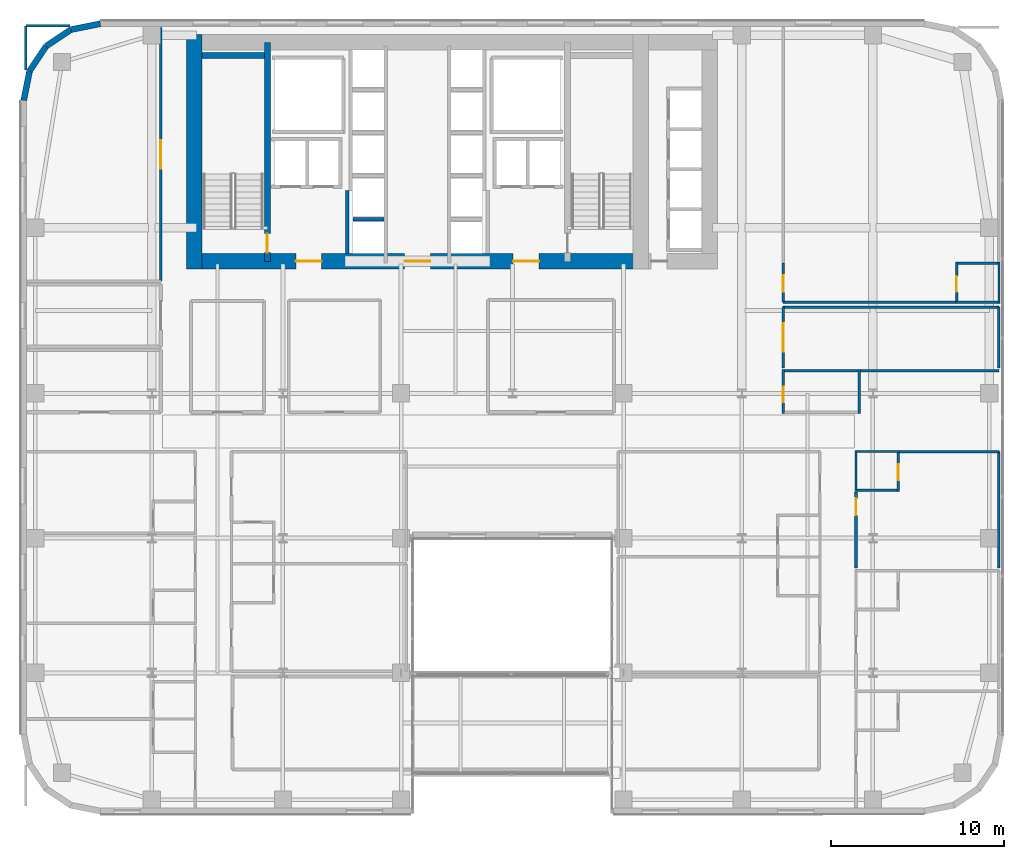
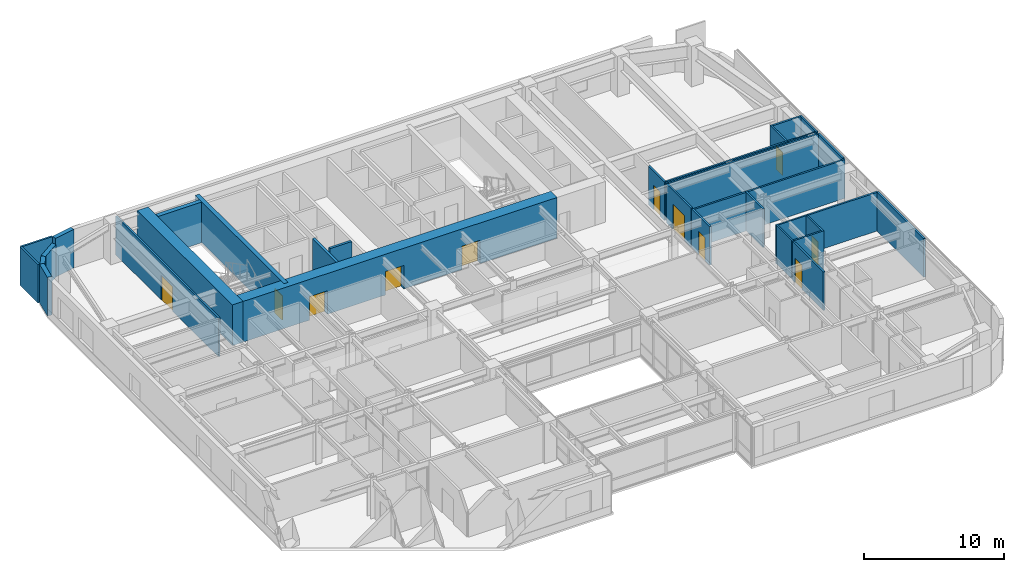
# One storey, part 24 of 31: 32 walls, 11 doors, 11 openings.
"""IFC4 building model written with IfcOpenShell, lengths in metres."""

from ifc_helpers import new_model, si_unit, direction, frame, frame_2d, origin, place, context, subcontext, project, spatial, rectangle, extrude, source, transform, mapped, material, layer, layer_set, type_object, type_shapes, element, fill, save


model = new_model("IFC4")

# Units and contexts
model_context = context("Model", 3, precision=1e-05, world=origin(), true_north=direction((0.0, 1.0)))
body_context = subcontext(model_context, "Body", "Model", "MODEL_VIEW")
ifc_project = project(units=[si_unit("LENGTHUNIT", "METRE"), si_unit("AREAUNIT", "SQUARE_METRE"), si_unit("VOLUMEUNIT", "CUBIC_METRE"), si_unit("PLANEANGLEUNIT", "RADIAN"), si_unit("MASSUNIT", "GRAM", prefix="KILO")], contexts=[model_context])

# Site, building, storey
site_placement = place(None, origin())
site = spatial("IfcSite", under=ifc_project, at=site_placement, CompositionType="ELEMENT")
building_placement = place(site_placement, origin())
building = spatial("IfcBuilding", under=site, at=building_placement, Name="Tolvann Quenvar Hotel", CompositionType="ELEMENT")
storey_placement = place(building_placement, frame((0.0, 0.0, 74.60009765625)))
storey = spatial("IfcBuildingStorey", under=building, at=storey_placement, Name="L18", CompositionType="ELEMENT", Elevation=74.60009765625)

# Wall, openings, doors
ifc_material_1 = material(Name="Concrete S80 (80 MPa)", Category="concrete")
ifc_layer_1 = layer(ifc_material_1, 0.89990234375)
ifc_layer_set_1 = layer_set([ifc_layer_1], Name="Concrete S80 (80 MPa)")
wall_type_1 = type_object("IfcWallType", Name="WALL_CORE_900", PredefinedType="SHEAR", material=ifc_layer_set_1)
wall_1_placement = place(storey_placement, frame((9.60009765625, 32.050048828125, 0.0), z_axis=(0.0, 0.0, 1.0), x_axis=(1.0, 0.0, 0.0)))
wall_1 = element("IfcWall", 1, at=wall_1_placement, inside=storey, type_object=wall_type_1, Name="Rear Core S Shear Wall (L18)", PredefinedType="SHEAR", context=body_context, shape_type="SweptSolid", body=[
    extrude(rectangle(XDim=26.7998046875, YDim=0.89990234375, at=frame_2d((13.39990234375, 0.0))), origin(), (0.0, 0.0, 1.0), 3.5498046875),
])
opening_1_placement = place(wall_1_placement, frame((7.85009765625, 0.0, 0.0), z_axis=(0.0, 0.0, 1.0), x_axis=(-1.0, 0.0, 0.0)))
opening_1 = element("IfcOpeningElement", 2, at=opening_1_placement, cuts=wall_1, Name="Opening FD-60D", PredefinedType="OPENING", context=body_context, shape_type="SweptSolid", body=[
    extrude(rectangle(XDim=1.5, YDim=2.0400390625, at=frame_2d((0.75, 1.02001953125))), frame((0.0, 0.4599609375, 0.0), z_axis=(0.0, -1.0, 0.0), x_axis=(1.0, 0.0, 0.0)), (0.0, 0.0, 1.0), 0.919921875),
])
opening_2_placement = place(wall_1_placement, frame((14.14990234375, 0.0, 0.0), z_axis=(0.0, 0.0, 1.0), x_axis=(-1.0, 0.0, 0.0)))
opening_2 = element("IfcOpeningElement", 3, at=opening_2_placement, cuts=wall_1, Name="Opening FD-60D", PredefinedType="OPENING", context=body_context, shape_type="SweptSolid", body=[
    extrude(rectangle(XDim=1.5, YDim=2.0400390625, at=frame_2d((0.75, 1.02001953125))), frame((0.0, 0.4599609375, 0.0), z_axis=(0.0, -1.0, 0.0), x_axis=(1.0, 0.0, 0.0)), (0.0, 0.0, 1.0), 0.919921875),
])
opening_3_placement = place(wall_1_placement, frame((20.449951171875, 0.0, 0.0), z_axis=(0.0, 0.0, 1.0), x_axis=(-1.0, 0.0, 0.0)))
opening_3 = element("IfcOpeningElement", 4, at=opening_3_placement, cuts=wall_1, Name="Opening FD-60D", PredefinedType="OPENING", context=body_context, shape_type="SweptSolid", body=[
    extrude(rectangle(XDim=1.5, YDim=2.0400390625, at=frame_2d((0.75, 1.02001953125))), frame((0.0, 0.4599609375, 0.0), z_axis=(0.0, -1.0, 0.0), x_axis=(1.0, 0.0, 0.0)), (0.0, 0.0, 1.0), 0.919921875),
])
ifc_material_2 = material(Name="Solid-core American oak acoustic fire door leaf in steel frame", Category="steel")
door_type_1 = type_object("IfcDoorType", Name="DOOR_FIRE_LOBBY_1500", OperationType="NOTDEFINED", PredefinedType="DOOR", material=ifc_material_2)
shared_shape_1 = source(origin(), body_context, "Body", "SweptSolid", [
    extrude(rectangle(XDim=1.5, YDim=2.0400390625, at=frame_2d((0.75, 1.02001953125))), frame((0.0, 0.02490234375, 0.0), z_axis=(0.0, -1.0, 0.0), x_axis=(1.0, 0.0, 0.0)), (0.0, 0.0, 1.0), 0.050048828125),
])
type_shapes(door_type_1, [shared_shape_1])
door_1_placement = place(opening_1_placement, origin())
door_1 = element("IfcDoor", 5, at=door_1_placement, inside=storey, type_object=door_type_1, Name="Core Lobby Fire Door FFW (L18)", OperationType="DOUBLE_DOOR_SINGLE_SWING", OverallHeight=2.0400390625, OverallWidth=1.5, PredefinedType="DOOR", context=body_context, shape_type="MappedRepresentation", body=[
    mapped(shared_shape_1, transform((0.0, 0.0, 0.0), x_axis=(1.0, 0.0, 0.0), y_axis=(0.0, 1.0, 0.0), z_axis=(0.0, 0.0, 1.0), scale=1.0)),
])
fill(opening_1, door_1)
door_2_placement = place(opening_2_placement, origin())
door_2 = element("IfcDoor", 6, at=door_2_placement, inside=storey, type_object=door_type_1, Name="Core Lobby Fire Door CLOB (L18)", OperationType="DOUBLE_DOOR_SINGLE_SWING", OverallHeight=2.0400390625, OverallWidth=1.5, PredefinedType="DOOR", context=body_context, shape_type="MappedRepresentation", body=[
    mapped(shared_shape_1, transform((0.0, 0.0, 0.0), x_axis=(1.0, 0.0, 0.0), y_axis=(0.0, 1.0, 0.0), z_axis=(0.0, 0.0, 1.0), scale=1.0)),
])
fill(opening_2, door_2)
door_3_placement = place(opening_3_placement, origin())
door_3 = element("IfcDoor", 7, at=door_3_placement, inside=storey, type_object=door_type_1, Name="Core Lobby Fire Door FFE (L18)", OperationType="DOUBLE_DOOR_SINGLE_SWING", OverallHeight=2.0400390625, OverallWidth=1.5, PredefinedType="DOOR", context=body_context, shape_type="MappedRepresentation", body=[
    mapped(shared_shape_1, transform((0.0, 0.0, 0.0), x_axis=(1.0, 0.0, 0.0), y_axis=(0.0, 1.0, 0.0), z_axis=(0.0, 0.0, 1.0), scale=1.0)),
])
fill(opening_3, door_3)

# Wall
wall_2_placement = place(storey_placement, frame((10.050048828125, 31.60009765625, 0.0), z_axis=(0.0, 0.0, 1.0), x_axis=(0.0, 1.0, 0.0)))
element("IfcWall", 8, at=wall_2_placement, inside=storey, type_object=wall_type_1, Name="Rear Core W Shear Wall (L18)", PredefinedType="SHEAR", context=body_context, shape_type="SweptSolid", body=[
    extrude(rectangle(XDim=13.599853515625, YDim=0.89990234375, at=frame_2d((6.7998046875, 0.0))), origin(), (0.0, 0.0, 1.0), 3.5498046875),
])

# Wall, opening, door
ifc_material_3 = material(Name="Concrete S65 (65 MPa)", Category="concrete")
ifc_layer_2 = layer(ifc_material_3, 0.35009765625)
ifc_layer_set_2 = layer_set([ifc_layer_2], Name="Concrete S65 (65 MPa)")
wall_type_2 = type_object("IfcWallType", Name="WALL_CORE_INT_350", PredefinedType="SHEAR", material=ifc_layer_set_2)
wall_3_placement = place(storey_placement, frame((14.300048828125, 32.050048828125, 0.0), z_axis=(0.0, 0.0, 1.0), x_axis=(0.0, 1.0, 0.0)))
wall_3 = element("IfcWall", 9, at=wall_3_placement, inside=storey, type_object=wall_type_2, Name="Core Internal Web Shear Wall WEB-W (L18)", PredefinedType="SHEAR", context=body_context, shape_type="SweptSolid", body=[
    extrude(rectangle(XDim=12.699951171875, YDim=0.35009765625, at=frame_2d((6.35009765625, 0.0))), origin(), (0.0, 0.0, 1.0), 3.5498046875),
])
opening_4_placement = place(wall_3_placement, frame((0.5, 0.0, 0.0)))
opening_4 = element("IfcOpeningElement", 10, at=opening_4_placement, cuts=wall_3, Name="Opening FD-120", PredefinedType="OPENING", context=body_context, shape_type="SweptSolid", body=[
    extrude(rectangle(XDim=1.10009765625, YDim=2.1201171875, at=frame_2d((0.550048828125, 1.06005859375))), frame((0.0, 0.18505859375, 0.0), z_axis=(0.0, -1.0, 0.0), x_axis=(1.0, 0.0, 0.0)), (0.0, 0.0, 1.0), 0.3701171875),
])
ifc_material_4 = material(Name="Pressed galvanised steel fire-rated door set", Category="steel")
door_type_2 = type_object("IfcDoorType", Name="DOOR_FIRE_STAIR_1100", OperationType="NOTDEFINED", PredefinedType="DOOR", material=ifc_material_4)
shared_shape_2 = source(origin(), body_context, "Body", "SweptSolid", [
    extrude(rectangle(XDim=1.10009765625, YDim=2.1201171875, at=frame_2d((0.550048828125, 1.06005859375))), frame((0.0, 0.02490234375, 0.0), z_axis=(0.0, -1.0, 0.0), x_axis=(1.0, 0.0, 0.0)), (0.0, 0.0, 1.0), 0.050048828125),
])
type_shapes(door_type_2, [shared_shape_2])
door_4_placement = place(opening_4_placement, origin())
door_4 = element("IfcDoor", 11, at=door_4_placement, inside=storey, type_object=door_type_2, Name="Exit Stair ST-C1 Fire Door (L18)", OperationType="SINGLE_SWING_LEFT", OverallHeight=2.1201171875, OverallWidth=1.10009765625, PredefinedType="DOOR", context=body_context, shape_type="MappedRepresentation", body=[
    mapped(shared_shape_2, transform((0.0, 0.0, 0.0), x_axis=(1.0, 0.0, 0.0), y_axis=(0.0, 1.0, 0.0), z_axis=(0.0, 0.0, 1.0), scale=1.0)),
])
fill(opening_4, door_4)

# Walls
wall_4_placement = place(storey_placement, frame((10.52001953125, 43.97509765625, 0.0), z_axis=(0.0, 0.0, 1.0), x_axis=(1.0, 0.0, 0.0)))
element("IfcWall", 12, at=wall_4_placement, inside=storey, type_object=wall_type_2, Name="Core Stair North Closing Shear Wall STC1-N (L18)", PredefinedType="SHEAR", context=body_context, shape_type="SweptSolid", body=[
    extrude(rectangle(XDim=3.60009765625, YDim=0.35009765625, at=frame_2d((1.800048828125, 0.0))), origin(), (0.0, 0.0, 1.0), 3.5498046875),
])
ifc_material_5 = material(Name="Kiln-fired red and buff architectural clay brickwork and terracotta masonry", Category="masonry")
ifc_layer_3 = layer(ifc_material_5, 0.35009765625)
ifc_layer_set_3 = layer_set([ifc_layer_3], Name="Kiln-fired red and buff architectural clay brickwork and terracotta masonry")
wall_type_3 = type_object("IfcWallType", Name="WALL_EXT_BRICK_350", PredefinedType="SOLIDWALL", material=ifc_layer_set_3)
wall_5_placement = place(storey_placement, frame((4.6171875, 45.824951171875, 0.0), z_axis=(0.0, 0.0, 1.0), x_axis=(-0.980800971659, -0.195011420161, 0.0)))
element("IfcWall", 13, at=wall_5_placement, inside=storey, type_object=wall_type_3, Name="Exterior Chicago Brick Wall L18-E19", PredefinedType="SOLIDWALL", context=body_context, shape_type="SweptSolid", body=[
    extrude(rectangle(XDim=1.74267578125, YDim=0.35009765625, at=frame_2d((0.871337890625, 0.0))), origin(), (0.0, 0.0, 1.0), 3.369873046875),
])
for number, where, z_axis, x_axis, name in (
    (14, (2.907958984375, 45.485107421875, 0.0), (0.0, 0.0, 1.0), (-0.831483840845, -0.55554893791, 0.0), "Exterior Chicago Brick Wall L18-E20"),
    (15, (1.473388671875, 44.526611328125, 0.0), (0.0, 0.0, 1.0), (-0.55554893791, -0.831483840845, 0.0), "Exterior Chicago Brick Wall L18-E21"),
):
    element("IfcWall", number, at=place(storey_placement, frame(where, z_axis=z_axis, x_axis=x_axis)), inside=storey, type_object=wall_type_3, Name=name, PredefinedType="SOLIDWALL", context=body_context, shape_type="SweptSolid", body=[
        extrude(rectangle(XDim=1.725341796875, YDim=0.35009765625, at=frame_2d((0.86279296875, 0.0))), origin(), (0.0, 0.0, 1.0), 2.831787109375),
    ])
wall_6_placement = place(storey_placement, frame((0.514892578125, 43.092041015625, 0.0), z_axis=(0.0, 0.0, 1.0), x_axis=(-0.195011420161, -0.980800971659, 0.0)))
element("IfcWall", 16, at=wall_6_placement, inside=storey, type_object=wall_type_3, Name="Exterior Chicago Brick Wall L18-E22", PredefinedType="SOLIDWALL", context=body_context, shape_type="SweptSolid", body=[
    extrude(rectangle(XDim=1.74267578125, YDim=0.35009765625, at=frame_2d((0.871337890625, 0.0))), origin(), (0.0, 0.0, 1.0), 3.369873046875),
])
ifc_material_6 = material(Name="Moisture-resistant acoustic plumbing wall assembly")
ifc_layer_4 = layer(ifc_material_6, 0.1201171875)
ifc_layer_set_4 = layer_set([ifc_layer_4], Name="Moisture-resistant acoustic plumbing wall assembly")
wall_type_4 = type_object("IfcWallType", Name="WALL_PART_BATH_120", PredefinedType="PLUMBINGWALL", material=ifc_layer_set_4)
wall_7_placement = place(storey_placement, frame((48.35009765625, 21.02001953125, 0.0), z_axis=(0.0, 0.0, 1.0), x_axis=(1.0, 0.0, 0.0)))
element("IfcWall", 17, at=wall_7_placement, inside=storey, type_object=wall_type_4, Name="Non-Rated Plumbing Partition PT-SPC-L18-ENS-EO03-N", PredefinedType="PLUMBINGWALL", context=body_context, shape_type="SweptSolid", body=[
    extrude(rectangle(XDim=2.58984375, YDim=0.1201171875, at=frame_2d((1.294921875, 0.0))), origin(), (0.0, 0.0, 1.0), 3.369873046875),
])
wall_8_placement = place(storey_placement, frame((48.419921875, 18.699951171875, 0.0), z_axis=(0.0, 0.0, 1.0), x_axis=(0.0, 1.0, 0.0)))
element("IfcWall", 18, at=wall_8_placement, inside=storey, type_object=wall_type_4, Name="Non-Rated Plumbing Partition PT-SPC-L18-ENS-EO03-W", PredefinedType="PLUMBINGWALL", context=body_context, shape_type="SweptSolid", body=[
    extrude(rectangle(XDim=2.39013671875, YDim=0.1201171875, at=frame_2d((1.195068359375, 0.0))), origin(), (0.0, 0.0, 1.0), 3.369873046875),
])
wall_9_placement = place(storey_placement, frame((54.179931640625, 29.679931640625, 0.0), z_axis=(0.0, 0.0, 1.0), x_axis=(1.0, 0.0, 0.0)))
element("IfcWall", 19, at=wall_9_placement, inside=storey, type_object=wall_type_4, Name="Non-Rated Plumbing Partition PT-SPC-L18-ENS-NE01-S", PredefinedType="PLUMBINGWALL", context=body_context, shape_type="SweptSolid", body=[
    extrude(rectangle(XDim=2.590087890625, YDim=0.1201171875, at=frame_2d((1.294921875, 0.0))), origin(), (0.0, 0.0, 1.0), 3.369873046875),
])
wall_10_placement = place(storey_placement, frame((56.699951171875, 29.610107421875, 0.0), z_axis=(0.0, 0.0, 1.0), x_axis=(0.0, 1.0, 0.0)))
element("IfcWall", 20, at=wall_10_placement, inside=storey, type_object=wall_type_4, Name="Non-Rated Plumbing Partition PT-SPC-L18-ENS-NE01-E", PredefinedType="PLUMBINGWALL", context=body_context, shape_type="SweptSolid", body=[
    extrude(rectangle(XDim=2.389892578125, YDim=0.1201171875, at=frame_2d((1.19482421875, 0.0))), origin(), (0.0, 0.0, 1.0), 3.369873046875),
])

# Wall, opening, door
ifc_material_7 = material(Name="Acoustic twin-stud fire-rated gypsum plasterboard partition")
ifc_layer_5 = layer(ifc_material_7, 0.14990234375)
ifc_layer_set_5 = layer_set([ifc_layer_5], Name="Acoustic twin-stud fire-rated gypsum plasterboard partition")
wall_type_5 = type_object("IfcWallType", Name="WALL_PART_SUITE_150", PredefinedType="PARTITIONING", material=ifc_layer_set_5)
wall_11_placement = place(storey_placement, frame((50.8701171875, 18.699951171875, 0.0), z_axis=(0.0, 0.0, 1.0), x_axis=(0.0, 1.0, 0.0)))
wall_11 = element("IfcWall", 21, at=wall_11_placement, inside=storey, type_object=wall_type_5, Name="Interior Partition PT-SPC-L18-ENS-EO03-ENT", PredefinedType="PARTITIONING", context=body_context, shape_type="SweptSolid", body=[
    extrude(rectangle(XDim=2.39013671875, YDim=0.14990234375, at=frame_2d((1.195068359375, 0.0))), origin(), (0.0, 0.0, 1.0), 3.369873046875),
])
opening_5_placement = place(wall_11_placement, frame((0.6650390625, 0.0, 0.0)))
opening_5 = element("IfcOpeningElement", 22, at=opening_5_placement, cuts=wall_11, Name="Opening WD-01", PredefinedType="OPENING", context=body_context, shape_type="SweptSolid", body=[
    extrude(rectangle(XDim=0.919921875, YDim=2.010009765625, at=frame_2d((0.4599609375, 1.0048828125))), frame((0.0, 0.0849609375, 0.0), z_axis=(0.0, -1.0, 0.0), x_axis=(1.0, 0.0, 0.0)), (0.0, 0.0, 1.0), 0.169921875),
])
door_type_3 = type_object("IfcDoorType", Name="DOOR_WC_920", OperationType="NOTDEFINED", PredefinedType="DOOR", material=ifc_material_2)
shared_shape_3 = source(origin(), body_context, "Body", "SweptSolid", [
    extrude(rectangle(XDim=0.919921875, YDim=2.010009765625, at=frame_2d((0.4599609375, 1.0048828125))), frame((0.0, 0.02490234375, 0.0), z_axis=(0.0, -1.0, 0.0), x_axis=(1.0, 0.0, 0.0)), (0.0, 0.0, 1.0), 0.050048828125),
])
type_shapes(door_type_3, [shared_shape_3])
door_5_placement = place(opening_5_placement, origin())
door_5 = element("IfcDoor", 23, at=door_5_placement, inside=storey, type_object=door_type_3, Name="Interior Door DOOR-SPC-L18-ENS-EO03", OperationType="SINGLE_SWING_RIGHT", OverallHeight=2.010009765625, OverallWidth=0.919921875, PredefinedType="DOOR", context=body_context, shape_type="MappedRepresentation", body=[
    mapped(shared_shape_3, transform((0.0, 0.0, 0.0), x_axis=(1.0, 0.0, 0.0), y_axis=(0.0, 1.0, 0.0), z_axis=(0.0, 0.0, 1.0), scale=1.0)),
])
fill(opening_5, door_5)

# Wall
wall_12_placement = place(storey_placement, frame((48.35009765625, 18.77001953125, 0.0), z_axis=(0.0, 0.0, 1.0), x_axis=(1.0, 0.0, 0.0)))
element("IfcWall", 24, at=wall_12_placement, inside=storey, type_object=wall_type_5, Name="Interior Partition PT-SPC-L18-ENS-EO03-S", PredefinedType="PARTITIONING", context=body_context, shape_type="SweptSolid", body=[
    extrude(rectangle(XDim=2.58984375, YDim=0.14990234375, at=frame_2d((1.294921875, 0.0))), origin(), (0.0, 0.0, 1.0), 3.369873046875),
])

# Wall, opening, door
wall_13_placement = place(storey_placement, frame((54.25, 29.610107421875, 0.0), z_axis=(0.0, 0.0, 1.0), x_axis=(0.0, 1.0, 0.0)))
wall_13 = element("IfcWall", 25, at=wall_13_placement, inside=storey, type_object=wall_type_5, Name="Interior Partition PT-SPC-L18-ENS-NE01-ENT", PredefinedType="PARTITIONING", context=body_context, shape_type="SweptSolid", body=[
    extrude(rectangle(XDim=2.389892578125, YDim=0.14990234375, at=frame_2d((1.19482421875, 0.0))), origin(), (0.0, 0.0, 1.0), 3.369873046875),
])
opening_6_placement = place(wall_13_placement, frame((0.6650390625, 0.0, 0.0)))
opening_6 = element("IfcOpeningElement", 26, at=opening_6_placement, cuts=wall_13, Name="Opening WD-01", PredefinedType="OPENING", context=body_context, shape_type="SweptSolid", body=[
    extrude(rectangle(XDim=0.919921875, YDim=2.010009765625, at=frame_2d((0.4599609375, 1.0048828125))), frame((0.0, 0.0849609375, 0.0), z_axis=(0.0, -1.0, 0.0), x_axis=(1.0, 0.0, 0.0)), (0.0, 0.0, 1.0), 0.169921875),
])
door_6_placement = place(opening_6_placement, origin())
door_6 = element("IfcDoor", 27, at=door_6_placement, inside=storey, type_object=door_type_3, Name="Interior Door DOOR-SPC-L18-ENS-NE01", OperationType="SINGLE_SWING_LEFT", OverallHeight=2.010009765625, OverallWidth=0.919921875, PredefinedType="DOOR", context=body_context, shape_type="MappedRepresentation", body=[
    mapped(shared_shape_3, transform((0.0, 0.0, 0.0), x_axis=(1.0, 0.0, 0.0), y_axis=(0.0, 1.0, 0.0), z_axis=(0.0, 0.0, 1.0), scale=1.0)),
])
fill(opening_6, door_6)

# Wall
wall_14_placement = place(storey_placement, frame((54.179931640625, 31.929931640625, 0.0), z_axis=(0.0, 0.0, 1.0), x_axis=(1.0, 0.0, 0.0)))
element("IfcWall", 28, at=wall_14_placement, inside=storey, type_object=wall_type_5, Name="Interior Partition PT-SPC-L18-ENS-NE01-N", PredefinedType="PARTITIONING", context=body_context, shape_type="SweptSolid", body=[
    extrude(rectangle(XDim=2.590087890625, YDim=0.14990234375, at=frame_2d((1.294921875, 0.0))), origin(), (0.0, 0.0, 1.0), 3.369873046875),
])

# Wall, opening, door
wall_15_placement = place(storey_placement, frame((48.419921875, 14.280029296875, 0.0), z_axis=(0.0, 0.0, 1.0), x_axis=(0.0, 1.0, 0.0)))
wall_15 = element("IfcWall", 29, at=wall_15_placement, inside=storey, type_object=wall_type_5, Name="Interior Partition PT-SPC-L18-RM-EO03-ENT", PredefinedType="PARTITIONING", context=body_context, shape_type="SweptSolid", body=[
    extrude(rectangle(XDim=4.409912109375, YDim=0.14990234375, at=frame_2d((2.205078125, 0.0))), origin(), (0.0, 0.0, 1.0), 3.369873046875),
])
opening_7_placement = place(wall_15_placement, frame((3.044921875, 0.0, 0.0)))
opening_7 = element("IfcOpeningElement", 30, at=opening_7_placement, cuts=wall_15, Name="Opening SD-01", PredefinedType="OPENING", context=body_context, shape_type="SweptSolid", body=[
    extrude(rectangle(XDim=0.97998046875, YDim=2.1201171875, at=frame_2d((0.489990234375, 1.06005859375))), frame((0.0, 0.0849609375, 0.0), z_axis=(0.0, -1.0, 0.0), x_axis=(1.0, 0.0, 0.0)), (0.0, 0.0, 1.0), 0.169921875),
])
door_type_4 = type_object("IfcDoorType", Name="DOOR_SUITE_980", OperationType="NOTDEFINED", PredefinedType="DOOR", material=ifc_material_2)
shared_shape_4 = source(origin(), body_context, "Body", "SweptSolid", [
    extrude(rectangle(XDim=0.97998046875, YDim=2.1201171875, at=frame_2d((0.489990234375, 1.06005859375))), frame((0.0, 0.02490234375, 0.0), z_axis=(0.0, -1.0, 0.0), x_axis=(1.0, 0.0, 0.0)), (0.0, 0.0, 1.0), 0.050048828125),
])
type_shapes(door_type_4, [shared_shape_4])
door_7_placement = place(opening_7_placement, origin())
door_7 = element("IfcDoor", 31, at=door_7_placement, inside=storey, type_object=door_type_4, Name="Interior Door DOOR-SPC-L18-RM-EO03", OperationType="SINGLE_SWING_RIGHT", OverallHeight=2.1201171875, OverallWidth=0.97998046875, PredefinedType="DOOR", context=body_context, shape_type="MappedRepresentation", body=[
    mapped(shared_shape_4, transform((0.0, 0.0, 0.0), x_axis=(1.0, 0.0, 0.0), y_axis=(0.0, 1.0, 0.0), z_axis=(0.0, 0.0, 1.0), scale=1.0)),
])
fill(opening_7, door_7)

# Walls
wall_16_placement = place(storey_placement, frame((56.699951171875, 14.280029296875, 0.0), z_axis=(0.0, 0.0, 1.0), x_axis=(0.0, 1.0, 0.0)))
element("IfcWall", 32, at=wall_16_placement, inside=storey, type_object=wall_type_5, Name="Interior Partition PT-SPC-L18-RM-EO03-E2", PredefinedType="PARTITIONING", context=body_context, shape_type="SweptSolid", body=[
    extrude(rectangle(XDim=6.739990234375, YDim=0.14990234375, at=frame_2d((3.3701171875, 0.0))), origin(), (0.0, 0.0, 1.0), 3.369873046875),
])
wall_17_placement = place(storey_placement, frame((50.889892578125, 21.02001953125, 0.0), z_axis=(0.0, 0.0, 1.0), x_axis=(1.0, 0.0, 0.0)))
element("IfcWall", 33, at=wall_17_placement, inside=storey, type_object=wall_type_5, Name="Interior Partition PT-SPC-L18-RM-EO03-E3", PredefinedType="PARTITIONING", context=body_context, shape_type="SweptSolid", body=[
    extrude(rectangle(XDim=5.81005859375, YDim=0.14990234375, at=frame_2d((2.905029296875, 0.0))), origin(), (0.0, 0.0, 1.0), 3.369873046875),
])
for number, where, z_axis, x_axis, name in (
    (34, (0.300048828125, 45.699951171875, 0.0), (0.0, 0.0, 1.0), (1.0, 0.0, 0.0), "Interior Partition PT-SPC-L18-TEA-N"),
    (35, (0.300048828125, 43.135009765625, 0.0), (0.0, 0.0, 1.0), (0.0, 1.0, 0.0), "Interior Partition PT-SPC-L18-TEA-W"),
):
    element("IfcWall", number, at=place(storey_placement, frame(where, z_axis=z_axis, x_axis=x_axis)), inside=storey, type_object=wall_type_5, Name=name, PredefinedType="PARTITIONING", context=body_context, shape_type="SweptSolid", body=[
        extrude(rectangle(XDim=2.56494140625, YDim=0.14990234375, at=frame_2d((1.282470703125, 0.0))), origin(), (0.0, 0.0, 1.0), 3.369873046875),
    ])

# Wall, opening, door
wall_18_placement = place(storey_placement, frame((8.1201171875, 30.89990234375, 0.0), z_axis=(0.0, 0.0, 1.0), x_axis=(0.0, 1.0, 0.0)))
wall_18 = element("IfcWall", 36, at=wall_18_placement, inside=storey, type_object=wall_type_5, Name="Interior Partition PT-SPC-L18-TEA-E", PredefinedType="PARTITIONING", context=body_context, shape_type="SweptSolid", body=[
    extrude(rectangle(XDim=14.695068359375, YDim=0.14990234375, at=frame_2d((7.34765625, 0.0))), origin(), (0.0, 0.0, 1.0), 3.369873046875),
])
opening_8_placement = place(wall_18_placement, frame((6.5224609375, 0.0, 0.0)))
opening_8 = element("IfcOpeningElement", 37, at=opening_8_placement, cuts=wall_18, Name="Opening AD-01", PredefinedType="OPENING", context=body_context, shape_type="SweptSolid", body=[
    extrude(rectangle(XDim=1.64990234375, YDim=2.14990234375, at=frame_2d((0.824951171875, 1.074951171875))), frame((0.0, 0.0849609375, 0.0), z_axis=(0.0, -1.0, 0.0), x_axis=(1.0, 0.0, 0.0)), (0.0, 0.0, 1.0), 0.169921875),
])
door_type_5 = type_object("IfcDoorType", Name="DOOR_SALON_1650", OperationType="NOTDEFINED", PredefinedType="DOOR", material=ifc_material_2)
shared_shape_5 = source(origin(), body_context, "Body", "SweptSolid", [
    extrude(rectangle(XDim=1.64990234375, YDim=2.14990234375, at=frame_2d((0.824951171875, 1.074951171875))), frame((0.0, 0.02490234375, 0.0), z_axis=(0.0, -1.0, 0.0), x_axis=(1.0, 0.0, 0.0)), (0.0, 0.0, 1.0), 0.050048828125),
])
type_shapes(door_type_5, [shared_shape_5])
door_8_placement = place(opening_8_placement, origin())
door_8 = element("IfcDoor", 38, at=door_8_placement, inside=storey, type_object=door_type_5, Name="Interior Door DOOR-SPC-L18-TEA", OperationType="DOUBLE_DOOR_SINGLE_SWING", OverallHeight=2.14990234375, OverallWidth=1.64990234375, PredefinedType="DOOR", context=body_context, shape_type="MappedRepresentation", body=[
    mapped(shared_shape_5, transform((0.0, 0.0, 0.0), x_axis=(1.0, 0.0, 0.0), y_axis=(0.0, 1.0, 0.0), z_axis=(0.0, 0.0, 1.0), scale=1.0)),
])
fill(opening_8, door_8)

wall_19_placement = place(storey_placement, frame((44.199951171875, 23.22998046875, 0.0), z_axis=(0.0, 0.0, 1.0), x_axis=(0.0, 1.0, 0.0)))
wall_19 = element("IfcWall", 39, at=wall_19_placement, inside=storey, type_object=wall_type_5, Name="Interior Partition PT-SPC-L18-WCA-ENT", PredefinedType="PARTITIONING", context=body_context, shape_type="SweptSolid", body=[
    extrude(rectangle(XDim=2.5400390625, YDim=0.14990234375, at=frame_2d((1.27001953125, 0.0))), origin(), (0.0, 0.0, 1.0), 3.369873046875),
])
opening_9_placement = place(wall_19_placement, frame((0.639892578125, 0.0, 0.0)))
opening_9 = element("IfcOpeningElement", 40, at=opening_9_placement, cuts=wall_19, Name="Opening WD-01", PredefinedType="OPENING", context=body_context, shape_type="SweptSolid", body=[
    extrude(rectangle(XDim=0.919921875, YDim=2.010009765625, at=frame_2d((0.4599609375, 1.0048828125))), frame((0.0, 0.0849609375, 0.0), z_axis=(0.0, -1.0, 0.0), x_axis=(1.0, 0.0, 0.0)), (0.0, 0.0, 1.0), 0.169921875),
])
door_9_placement = place(opening_9_placement, origin())
door_9 = element("IfcDoor", 41, at=door_9_placement, inside=storey, type_object=door_type_3, Name="Interior Door DOOR-SPC-L18-WCA", OperationType="SINGLE_SWING_LEFT", OverallHeight=2.010009765625, OverallWidth=0.919921875, PredefinedType="DOOR", context=body_context, shape_type="MappedRepresentation", body=[
    mapped(shared_shape_3, transform((0.0, 0.0, 0.0), x_axis=(1.0, 0.0, 0.0), y_axis=(0.0, 1.0, 0.0), z_axis=(0.0, 0.0, 1.0), scale=1.0)),
])
fill(opening_9, door_9)

# Walls
wall_20_placement = place(storey_placement, frame((44.1298828125, 25.699951171875, 0.0), z_axis=(0.0, 0.0, 1.0), x_axis=(1.0, 0.0, 0.0)))
element("IfcWall", 42, at=wall_20_placement, inside=storey, type_object=wall_type_5, Name="Interior Partition PT-SPC-L18-WCA-N", PredefinedType="PARTITIONING", context=body_context, shape_type="SweptSolid", body=[
    extrude(rectangle(XDim=12.570068359375, YDim=0.14990234375, at=frame_2d((6.28515625, 0.0))), origin(), (0.0, 0.0, 1.0), 3.369873046875),
])
wall_21_placement = place(storey_placement, frame((48.60009765625, 23.22998046875, 0.0), z_axis=(0.0, 0.0, 1.0), x_axis=(0.0, 1.0, 0.0)))
element("IfcWall", 43, at=wall_21_placement, inside=storey, type_object=wall_type_5, Name="Interior Partition PT-SPC-L18-WCA-E", PredefinedType="PARTITIONING", context=body_context, shape_type="SweptSolid", body=[
    extrude(rectangle(XDim=2.5400390625, YDim=0.14990234375, at=frame_2d((1.27001953125, 0.0))), origin(), (0.0, 0.0, 1.0), 3.369873046875),
])
wall_22_placement = place(storey_placement, frame((44.199951171875, 29.39990234375, 0.0), z_axis=(0.0, 0.0, 1.0), x_axis=(1.0, 0.0, 0.0)))
element("IfcWall", 44, at=wall_22_placement, inside=storey, type_object=wall_type_5, Name="Interior Partition PT-SPC-L18-SPA-N", PredefinedType="PARTITIONING", context=body_context, shape_type="SweptSolid", body=[
    extrude(rectangle(XDim=12.5, YDim=0.14990234375, at=frame_2d((6.25, 0.0))), origin(), (0.0, 0.0, 1.0), 3.369873046875),
])

# Wall, opening, door
wall_23_placement = place(storey_placement, frame((44.199951171875, 25.8798828125, 0.0), z_axis=(0.0, 0.0, 1.0), x_axis=(0.0, 1.0, 0.0)))
wall_23 = element("IfcWall", 45, at=wall_23_placement, inside=storey, type_object=wall_type_5, Name="Interior Partition PT-SPC-L18-SPA-W", PredefinedType="PARTITIONING", context=body_context, shape_type="SweptSolid", body=[
    extrude(rectangle(XDim=3.52001953125, YDim=0.14990234375, at=frame_2d((1.760009765625, 0.0))), origin(), (0.0, 0.0, 1.0), 3.369873046875),
])
opening_10_placement = place(wall_23_placement, frame((0.93505859375, 0.0, 0.0)))
opening_10 = element("IfcOpeningElement", 46, at=opening_10_placement, cuts=wall_23, Name="Opening AD-01", PredefinedType="OPENING", context=body_context, shape_type="SweptSolid", body=[
    extrude(rectangle(XDim=1.64990234375, YDim=2.14990234375, at=frame_2d((0.824951171875, 1.074951171875))), frame((0.0, 0.0849609375, 0.0), z_axis=(0.0, -1.0, 0.0), x_axis=(1.0, 0.0, 0.0)), (0.0, 0.0, 1.0), 0.169921875),
])
door_10_placement = place(opening_10_placement, origin())
door_10 = element("IfcDoor", 47, at=door_10_placement, inside=storey, type_object=door_type_5, Name="Interior Door DOOR-SPC-L18-SPA", OperationType="DOUBLE_DOOR_SINGLE_SWING", OverallHeight=2.14990234375, OverallWidth=1.64990234375, PredefinedType="DOOR", context=body_context, shape_type="MappedRepresentation", body=[
    mapped(shared_shape_5, transform((0.0, 0.0, 0.0), x_axis=(1.0, 0.0, 0.0), y_axis=(0.0, 1.0, 0.0), z_axis=(0.0, 0.0, 1.0), scale=1.0)),
])
fill(opening_10, door_10)

# Wall
wall_24_placement = place(storey_placement, frame((56.699951171875, 25.8798828125, 0.0), z_axis=(0.0, 0.0, 1.0), x_axis=(0.0, 1.0, 0.0)))
element("IfcWall", 48, at=wall_24_placement, inside=storey, type_object=wall_type_5, Name="Interior Partition PT-SPC-L18-SPA-E", PredefinedType="PARTITIONING", context=body_context, shape_type="SweptSolid", body=[
    extrude(rectangle(XDim=3.52001953125, YDim=0.14990234375, at=frame_2d((1.760009765625, 0.0))), origin(), (0.0, 0.0, 1.0), 3.369873046875),
])

# Wall, opening, door
wall_25_placement = place(storey_placement, frame((44.199951171875, 29.679931640625, 0.0), z_axis=(0.0, 0.0, 1.0), x_axis=(0.0, 1.0, 0.0)))
wall_25 = element("IfcWall", 49, at=wall_25_placement, inside=storey, type_object=wall_type_5, Name="Interior Partition PT-SPC-L18-RM-NE01-ENT", PredefinedType="PARTITIONING", context=body_context, shape_type="SweptSolid", body=[
    extrude(rectangle(XDim=2.280029296875, YDim=0.14990234375, at=frame_2d((1.14013671875, 0.0))), origin(), (0.0, 0.0, 1.0), 3.369873046875),
])
opening_11_placement = place(wall_25_placement, frame((0.594970703125, 0.0, 0.0)))
opening_11 = element("IfcOpeningElement", 50, at=opening_11_placement, cuts=wall_25, Name="Opening SD-01", PredefinedType="OPENING", context=body_context, shape_type="SweptSolid", body=[
    extrude(rectangle(XDim=0.97998046875, YDim=2.1201171875, at=frame_2d((0.489990234375, 1.06005859375))), frame((0.0, 0.0849609375, 0.0), z_axis=(0.0, -1.0, 0.0), x_axis=(1.0, 0.0, 0.0)), (0.0, 0.0, 1.0), 0.169921875),
])
door_11_placement = place(opening_11_placement, origin())
door_11 = element("IfcDoor", 51, at=door_11_placement, inside=storey, type_object=door_type_4, Name="Interior Door DOOR-SPC-L18-RM-NE01", OperationType="SINGLE_SWING_RIGHT", OverallHeight=2.1201171875, OverallWidth=0.97998046875, PredefinedType="DOOR", context=body_context, shape_type="MappedRepresentation", body=[
    mapped(shared_shape_4, transform((0.0, 0.0, 0.0), x_axis=(1.0, 0.0, 0.0), y_axis=(0.0, 1.0, 0.0), z_axis=(0.0, 0.0, 1.0), scale=1.0)),
])
fill(opening_11, door_11)

# Walls
wall_26_placement = place(storey_placement, frame((44.199951171875, 29.679931640625, 0.0), z_axis=(0.0, 0.0, 1.0), x_axis=(1.0, 0.0, 0.0)))
element("IfcWall", 52, at=wall_26_placement, inside=storey, type_object=wall_type_5, Name="Interior Partition PT-SPC-L18-RM-NE01-E1", PredefinedType="PARTITIONING", context=body_context, shape_type="SweptSolid", body=[
    extrude(rectangle(XDim=10.030029296875, YDim=0.14990234375, at=frame_2d((5.01513671875, 0.0))), origin(), (0.0, 0.0, 1.0), 3.369873046875),
])
ifc_material_8 = material(Name="Concrete N40 (40 MPa)", Category="concrete")
ifc_layer_6 = layer(ifc_material_8, 0.199951171875)
ifc_layer_set_6 = layer_set([ifc_layer_6], Name="Concrete N40 (40 MPa)")
wall_type_6 = type_object("IfcWallType", Name="WALL_SHAFT_200", PredefinedType="SOLIDWALL", material=ifc_layer_set_6)
wall_27_placement = place(storey_placement, frame((18.919921875, 32.50390625, 0.0), z_axis=(0.0, 0.0, 1.0), x_axis=(0.0, 1.0, 0.0)))
element("IfcWall", 53, at=wall_27_placement, inside=storey, type_object=wall_type_6, Name="Firefighting Lobby W Inner Fire Wall (L18)", PredefinedType="SOLIDWALL", context=body_context, shape_type="SweptSolid", body=[
    extrude(rectangle(XDim=3.64599609375, YDim=0.199951171875, at=frame_2d((1.822998046875, 0.0))), origin(), (0.0, 0.0, 1.0), 3.369873046875),
])
wall_28_placement = place(storey_placement, frame((19.27001953125, 34.5, 0.0), z_axis=(0.0, 0.0, 1.0), x_axis=(1.0, 0.0, 0.0)))
element("IfcWall", 54, at=wall_28_placement, inside=storey, type_object=wall_type_6, Name="Lift Bank E21.1C1 Divider Wall 1 (L18)", PredefinedType="SOLIDWALL", context=body_context, shape_type="SweptSolid", body=[
    extrude(rectangle(XDim=1.800048828125, YDim=0.199951171875, at=frame_2d((0.89990234375, 0.0))), origin(), (0.0, 0.0, 1.0), 3.369873046875),
])

save(model, "model.ifc")
